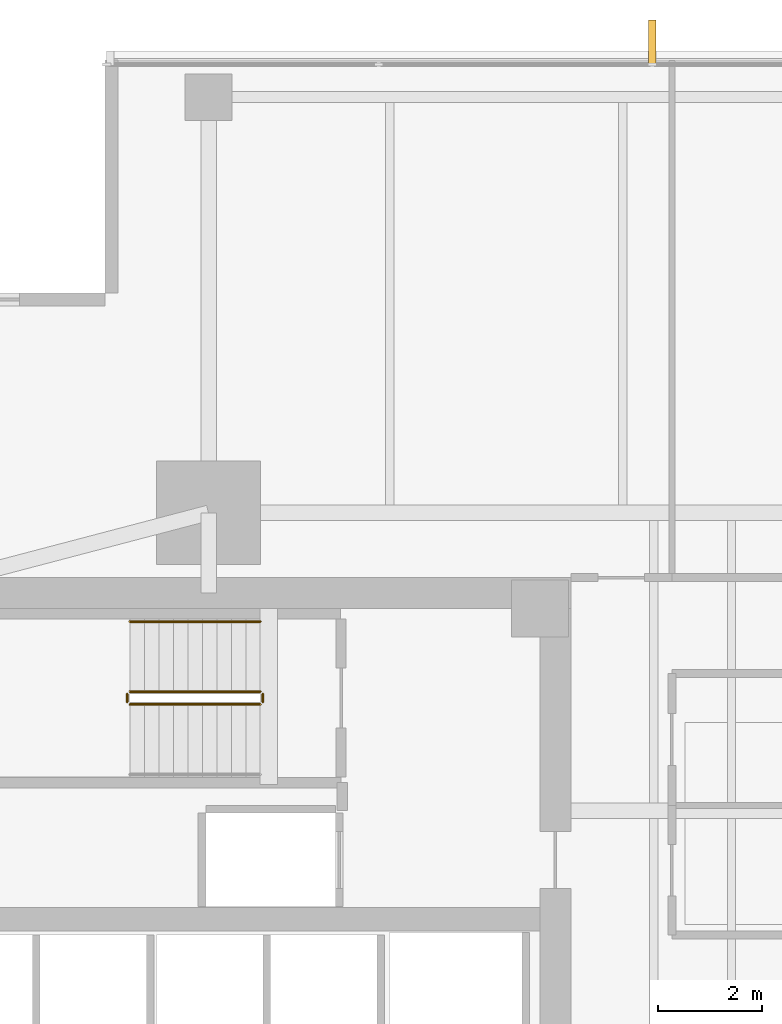
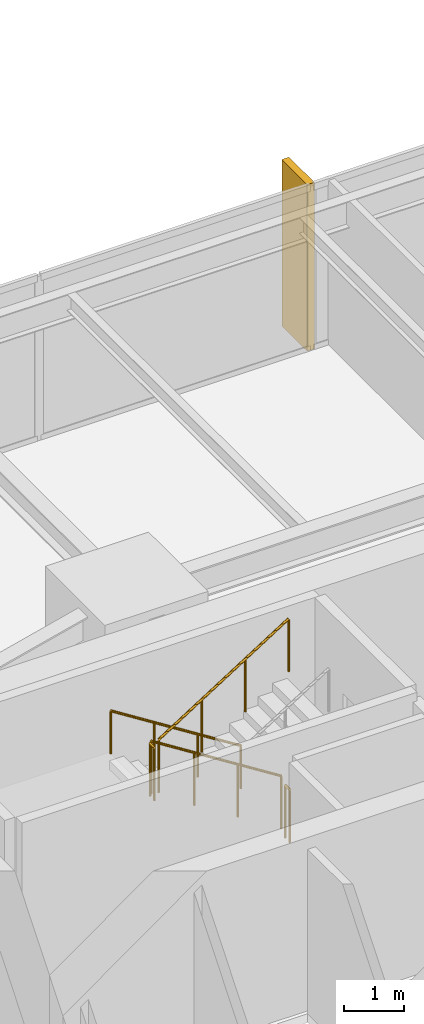
# One storey, part 13 of 14: 5 railings, 1 covering.
"""IFC4 building model written with IfcOpenShell, lengths in metres."""

from ifc_helpers import new_model, si_unit, direction, frame, origin, origin_2d, place, context, subcontext, project, spatial, polyline, circle, outline, extrude, material, layer, layer_set, type_object, element, save


model = new_model("IFC4")

# Units and contexts
model_context = context("Model", 3, precision=1e-05, world=origin(), true_north=direction((0.0, 1.0)))
body_context = subcontext(model_context, "Body", "Model", "MODEL_VIEW")
ifc_project = project(units=[si_unit("LENGTHUNIT", "METRE"), si_unit("AREAUNIT", "SQUARE_METRE"), si_unit("VOLUMEUNIT", "CUBIC_METRE"), si_unit("PLANEANGLEUNIT", "RADIAN"), si_unit("MASSUNIT", "GRAM", prefix="KILO")], contexts=[model_context])

# Site, building, storey
site_placement = place(None, origin())
site = spatial("IfcSite", under=ifc_project, at=site_placement, CompositionType="ELEMENT")
building_placement = place(site_placement, origin())
building = spatial("IfcBuilding", under=site, at=building_placement, Name="Kinhvarn Gate Tower", CompositionType="ELEMENT")
storey_placement = place(building_placement, frame((0.0, 0.0, 162.60009765625)))
storey = spatial("IfcBuildingStorey", under=building, at=storey_placement, Name="L43", CompositionType="ELEMENT", Elevation=162.60009765625)

# Covering
ifc_material_1 = material(Name="Fired architectural terracotta", Category="masonry")
ifc_layer = layer(ifc_material_1, 0.139892578125)
ifc_layer_set = layer_set([ifc_layer], Name="Fired architectural terracotta")
covering_type = type_object("IfcCoveringType", Name="COV-FIN-850", PredefinedType="CLADDING", material=ifc_layer_set)
covering_placement = place(storey_placement, frame((0.0, 0.0, -0.02001953125)))
element("IfcCovering", 1, at=covering_placement, inside=storey, type_object=covering_type, Name="Vertical Terracotta Expressive Fin TFN-850 (L43)", PredefinedType="CLADDING", context=body_context, shape_type="SweptSolid", body=[
    extrude(outline(polyline([(19.641357421875, 46.419921875), (19.50146484375, 46.419921875), (19.50146484375, 47.27001953125), (19.641357421875, 47.27001953125), (19.641357421875, 46.419921875)])), origin(), (0.0, 0.0, 1.0), 3.409912109375),
])

# Railings
ifc_material_2 = material(Name="Steel S355", Category="steel")
railing_type_1 = type_object("IfcRailingType", Name="RL-ST-GRD", PredefinedType="BALUSTRADE", material=ifc_material_2)
railing_1_placement = place(storey_placement, frame((12.0, 34.300048828125, 0.177490234375)))
element("IfcRailing", 2, at=railing_1_placement, inside=storey, type_object=railing_type_1, Name="L43 ST2 stair guard 1", PredefinedType="BALUSTRADE", context=body_context, shape_type="SweptSolid", body=[
    extrude(circle(Radius=0.02392578125, at=origin_2d()), frame((0.0, 0.0, 1.076171875), z_axis=(-0.84460694969, 0.0, 0.535386869969), x_axis=(0.0, -1.0, 0.0)), (0.0, 0.0, 1.0), 2.983642578125),
    extrude(circle(Radius=0.02099609375, at=origin_2d()), origin(), (0.0, 0.0, 1.0), 1.052001953125),
    extrude(circle(Radius=0.02099609375, at=origin_2d()), frame((-0.840087890625, 0.0, 0.532470703125)), (0.0, 0.0, 1.0), 1.052001953125),
    extrude(circle(Radius=0.02099609375, at=origin_2d()), frame((-1.679931640625, 0.0, 1.06494140625)), (0.0, 0.0, 1.0), 1.052001953125),
    extrude(circle(Radius=0.02099609375, at=origin_2d()), frame((-2.52001953125, 0.0, 1.597412109375)), (0.0, 0.0, 1.0), 1.052001953125),
])
railing_2_placement = place(storey_placement, frame((9.429931640625, 34.25, 1.77490234375)))
element("IfcRailing", 3, at=railing_2_placement, inside=storey, type_object=railing_type_1, Name="L43 ST2 stair guard 2", PredefinedType="BALUSTRADE", context=body_context, shape_type="SweptSolid", body=[
    extrude(circle(Radius=0.02392578125, at=origin_2d()), frame((0.0, 0.0, 1.076171875), z_axis=(0.0, -1.0, 0.0), x_axis=(1.0, 0.0, 0.0)), (0.0, 0.0, 1.0), 0.14990234375),
    extrude(circle(Radius=0.02099609375, at=origin_2d()), origin(), (0.0, 0.0, 1.0), 1.052001953125),
    extrude(circle(Radius=0.02099609375, at=origin_2d()), frame((0.0, -0.14990234375, 0.0)), (0.0, 0.0, 1.0), 1.052001953125),
])
railing_3_placement = place(storey_placement, frame((9.47998046875, 34.050048828125, 1.952392578125)))
element("IfcRailing", 4, at=railing_3_placement, inside=storey, type_object=railing_type_1, Name="L43 ST2 stair guard 3", PredefinedType="BALUSTRADE", context=body_context, shape_type="SweptSolid", body=[
    extrude(circle(Radius=0.02392578125, at=origin_2d()), frame((0.0, 0.0, 1.076171875), z_axis=(0.84460694969, 0.0, 0.535386869969), x_axis=(0.0, 1.0, 0.0)), (0.0, 0.0, 1.0), 2.983642578125),
    extrude(circle(Radius=0.02099609375, at=origin_2d()), origin(), (0.0, 0.0, 1.0), 1.052001953125),
    extrude(circle(Radius=0.02099609375, at=origin_2d()), frame((0.840087890625, 0.0, 0.532470703125)), (0.0, 0.0, 1.0), 1.052001953125),
    extrude(circle(Radius=0.02099609375, at=origin_2d()), frame((1.679931640625, 0.0, 1.06494140625)), (0.0, 0.0, 1.0), 1.052001953125),
    extrude(circle(Radius=0.02099609375, at=origin_2d()), frame((2.52001953125, 0.0, 1.597412109375)), (0.0, 0.0, 1.0), 1.052001953125),
])
railing_4_placement = place(storey_placement, frame((12.050048828125, 34.25, 0.0)))
element("IfcRailing", 5, at=railing_4_placement, inside=storey, type_object=railing_type_1, Name="L43 ST2 stair guard 4", PredefinedType="BALUSTRADE", context=body_context, shape_type="SweptSolid", body=[
    extrude(circle(Radius=0.02392578125, at=origin_2d()), frame((0.0, 0.0, 1.076171875), z_axis=(0.0, -1.0, 0.0), x_axis=(1.0, 0.0, 0.0)), (0.0, 0.0, 1.0), 0.14990234375),
    extrude(circle(Radius=0.02099609375, at=origin_2d()), origin(), (0.0, 0.0, 1.0), 1.052001953125),
    extrude(circle(Radius=0.02099609375, at=origin_2d()), frame((0.0, -0.14990234375, 0.0)), (0.0, 0.0, 1.0), 1.052001953125),
])
railing_type_2 = type_object("IfcRailingType", Name="RL-ST-HND", PredefinedType="HANDRAIL", material=ifc_material_2)
railing_5_placement = place(storey_placement, frame((12.0, 35.64990234375, 0.177490234375)))
element("IfcRailing", 6, at=railing_5_placement, inside=storey, type_object=railing_type_2, Name="L43 ST2 stair handrail 1", PredefinedType="HANDRAIL", context=body_context, shape_type="SweptSolid", body=[
    extrude(circle(Radius=0.02392578125, at=origin_2d()), frame((0.0, 0.0, 0.8759765625), z_axis=(-0.84460694969, 0.0, 0.535386869969), x_axis=(0.0, -1.0, 0.0)), (0.0, 0.0, 1.0), 2.983642578125),
    extrude(circle(Radius=0.02099609375, at=origin_2d()), origin(), (0.0, 0.0, 1.0), 0.851806640625),
    extrude(circle(Radius=0.02099609375, at=origin_2d()), frame((-0.840087890625, 0.0, 0.532470703125)), (0.0, 0.0, 1.0), 0.851806640625),
    extrude(circle(Radius=0.02099609375, at=origin_2d()), frame((-1.679931640625, 0.0, 1.06494140625)), (0.0, 0.0, 1.0), 0.851806640625),
    extrude(circle(Radius=0.02099609375, at=origin_2d()), frame((-2.52001953125, 0.0, 1.597412109375)), (0.0, 0.0, 1.0), 0.851806640625),
])

save(model, "model.ifc")
